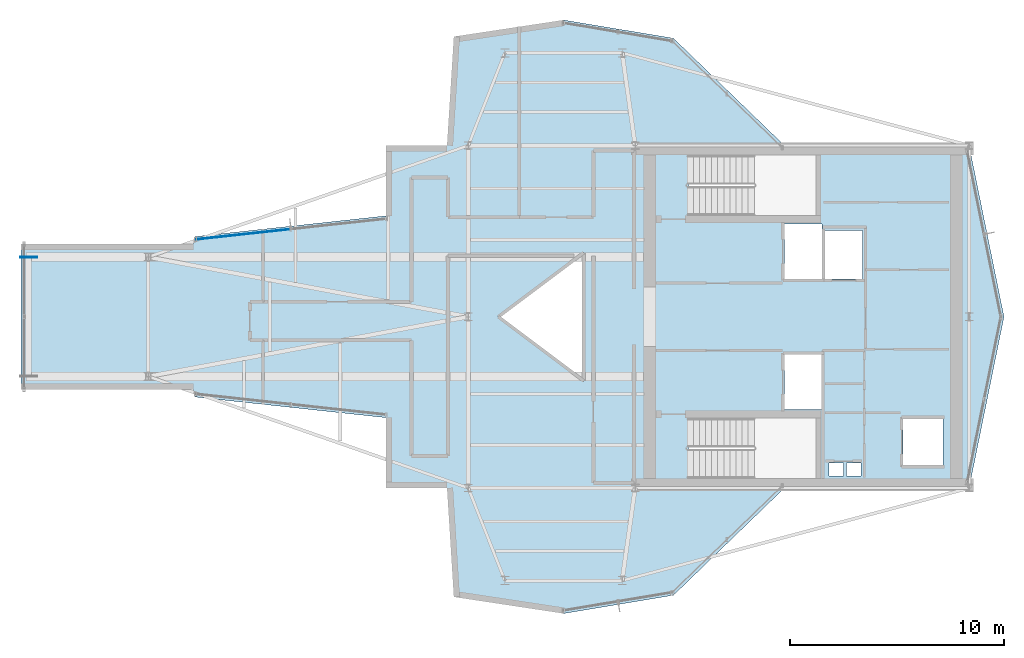
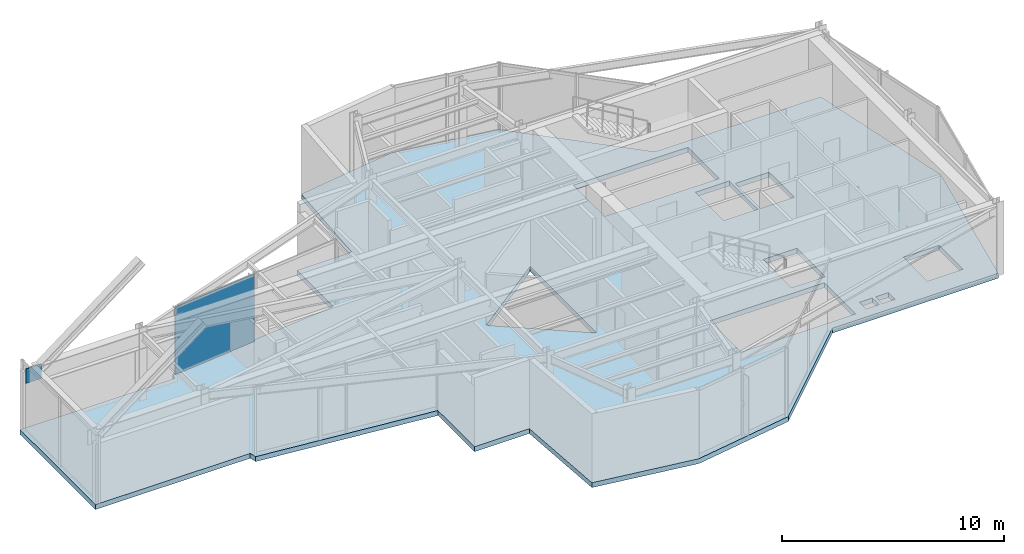
# One storey, part 11 of 16: 2 plates, 1 slab, 1 element without a shape of its own.
"""IFC4 building model written with IfcOpenShell, lengths in metres."""

from ifc_helpers import new_model, si_unit, direction, frame, origin, origin_2d, place, context, subcontext, project, spatial, polyline, rectangle, outline, extrude, material, layer, layer_set, type_object, element, aggregate, save


model = new_model("IFC4")

# Units and contexts
model_context = context("Model", 3, precision=1e-05, world=origin(), true_north=direction((0.0, 1.0)))
body_context = subcontext(model_context, "Body", "Model", "MODEL_VIEW")
ifc_project = project(units=[si_unit("LENGTHUNIT", "METRE"), si_unit("AREAUNIT", "SQUARE_METRE"), si_unit("VOLUMEUNIT", "CUBIC_METRE"), si_unit("PLANEANGLEUNIT", "RADIAN"), si_unit("MASSUNIT", "GRAM", prefix="KILO")], contexts=[model_context])

# Site, building, storey
site_placement = place(None, origin())
site = spatial("IfcSite", under=ifc_project, at=site_placement, CompositionType="ELEMENT")
building_placement = place(site_placement, origin())
building = spatial("IfcBuilding", under=site, at=building_placement, Name="Veymaron Broadcast Tower", CompositionType="ELEMENT")
storey_placement = place(building_placement, frame((0.0, 0.0, 315.449951171875)))
storey = spatial("IfcBuildingStorey", under=building, at=storey_placement, Name="L74", CompositionType="ELEMENT", Elevation=315.449951171875)

# Curtain wall, plate
ifc_material_1 = material(Name="Anodised aluminium AA 6063-T6 and laminated low-E dark glass", Category="aluminium")
ifc_layer_1 = layer(ifc_material_1, 0.179931640625)
ifc_layer_set_1 = layer_set([ifc_layer_1], Name="Anodised aluminium AA 6063-T6 and laminated low-E dark glass")
curtain_wall_type = type_object("IfcCurtainWallType", Name="CW-SYS-07", PredefinedType="NOTDEFINED", material=ifc_layer_set_1)
curtain_wall_placement = place(storey_placement, origin())
curtain_wall = element("IfcCurtainWall", 1, at=curtain_wall_placement, inside=storey, type_object=curtain_wall_type, Name="L74 dark-glass curtain wall CW-L74-E19-1", PredefinedType="NOTDEFINED")
ifc_material_2 = material(Name="Triple-laminated solar-control dark glass IGU 36 mm", Category="glass")
ifc_layer_2 = layer(ifc_material_2, 0.035888671875)
ifc_layer_set_2 = layer_set([ifc_layer_2], Name="Triple-laminated solar-control dark glass IGU 36 mm")
plate_type_1 = type_object("IfcPlateType", Name="CW-PNL-01", PredefinedType="CURTAIN_PANEL", material=ifc_layer_set_2)
plate_1_placement = place(storey_placement, frame((20.684814453125, 27.85107421875, 0.0400390625), z_axis=(0.0, 0.0, 1.0), x_axis=(-0.9941735615, -0.107791138848, 0.0)))
plate_1 = element("IfcPlate", 2, at=plate_1_placement, type_object=plate_type_1, Name="CW-L74-E19-1 unitised curtain panel 1", PredefinedType="CURTAIN_PANEL", context=body_context, shape_type="SweptSolid", body=[
    extrude(rectangle(XDim=4.42529296875, YDim=0.035888671875, at=origin_2d()), origin(), (0.0, 0.0, 1.0), 3.699951171875),
])
aggregate(curtain_wall, [plate_1])

# Plate
ifc_material_3 = material(Name="Structural steel ASTM A913 Gr 65", Category="steel")
ifc_layer_3 = layer(ifc_material_3, 0.044921875)
ifc_layer_set_3 = layer_set([ifc_layer_3], Name="Structural steel ASTM A913 Gr 65")
plate_type_2 = type_object("IfcPlateType", Name="PLT-NODE-ON1", PredefinedType="SHEET", material=ifc_layer_set_3)
plate_2_placement = place(storey_placement, frame((10.65869140625, 26.7880859375, 2.93017578125), z_axis=(0.0, 0.0, 1.0), x_axis=(1.0, 0.0, 0.0)))
element("IfcPlate", 3, at=plate_2_placement, inside=storey, type_object=plate_type_2, Name="L74 Cantilever tip gusset node ON1 N", PredefinedType="SHEET", context=body_context, shape_type="SweptSolid", body=[
    extrude(rectangle(XDim=0.800048828125, YDim=0.044921875, at=origin_2d()), origin(), (0.0, 0.0, 1.0), 0.800048828125),
])

# Slab
ifc_material_4 = material(Name="Concrete C40/50", Category="concrete")
ifc_layer_4 = layer(ifc_material_4, 0.27001953125)
ifc_layer_set_4 = layer_set([ifc_layer_4], Name="Concrete C40/50")
slab_type = type_object("IfcSlabType", Name="SLAB-FS4", PredefinedType="FLOOR", material=ifc_layer_set_4)
slab_placement = place(storey_placement, frame((0.0, 0.0, -0.27001953125)))
element("IfcSlab", 4, at=slab_placement, inside=storey, type_object=slab_type, Name="L74 structural floor slab", PredefinedType="FLOOR", context=body_context, shape_type="SweptSolid", body=[
    extrude(outline(polyline([(18.353515625, 20.60009765625), (18.43994140625, 20.25146484375), (27.3583984375, 19.284423828125), (27.3583984375, 16.0), (30.20849609375, 16.0), (30.527099609375, 10.9111328125), (35.65673828125, 10.13525390625), (40.78662109375, 10.98876953125), (45.97216796875, 16.0), (54.60009765625, 16.0), (56.2294921875, 24.0), (54.60009765625, 32.0), (45.97216796875, 32.0), (40.78662109375, 37.01123046875), (35.65673828125, 37.86474609375), (30.527099609375, 37.0888671875), (30.20849609375, 32.0), (27.3583984375, 32.0), (27.3583984375, 28.715576171875), (18.43994140625, 27.74853515625), (18.353515625, 27.39990234375), (10.308837890625, 27.39990234375), (10.308837890625, 20.60009765625), (18.353515625, 20.60009765625)]), holes=[polyline([(45.969970703125, 28.330078125), (47.72998046875, 28.330078125), (47.72998046875, 25.77001953125), (45.969970703125, 25.77001953125), (45.969970703125, 28.330078125)]), polyline([(45.969970703125, 22.22998046875), (47.72998046875, 22.22998046875), (47.72998046875, 19.669921875), (45.969970703125, 19.669921875), (45.969970703125, 22.22998046875)]), polyline([(47.8701171875, 28.030029296875), (49.6298828125, 28.030029296875), (49.6298828125, 25.77001953125), (47.8701171875, 25.77001953125), (47.8701171875, 28.030029296875)]), polyline([(51.52001953125, 19.22998046875), (53.3798828125, 19.22998046875), (53.3798828125, 17.070068359375), (51.52001953125, 17.070068359375), (51.52001953125, 19.22998046875)]), polyline([(48.050048828125, 17.159912109375), (48.719970703125, 17.159912109375), (48.719970703125, 16.56005859375), (48.050048828125, 16.56005859375), (48.050048828125, 17.159912109375)]), polyline([(48.8798828125, 17.159912109375), (49.550048828125, 17.159912109375), (49.550048828125, 16.56005859375), (48.8798828125, 16.56005859375), (48.8798828125, 17.159912109375)]), polyline([(36.60009765625, 27.0), (36.60009765625, 21.0), (32.60009765625, 24.0), (36.60009765625, 27.0)]), polyline([(41.489990234375, 31.550048828125), (47.43994140625, 31.550048828125), (47.43994140625, 28.72998046875), (41.489990234375, 28.72998046875), (41.489990234375, 31.550048828125)]), polyline([(41.489990234375, 19.27001953125), (47.43994140625, 19.27001953125), (47.43994140625, 16.449951171875), (41.489990234375, 16.449951171875), (41.489990234375, 19.27001953125)])]), origin(), (0.0, 0.0, 1.0), 0.27001953125),
])

save(model, "model.ifc")
